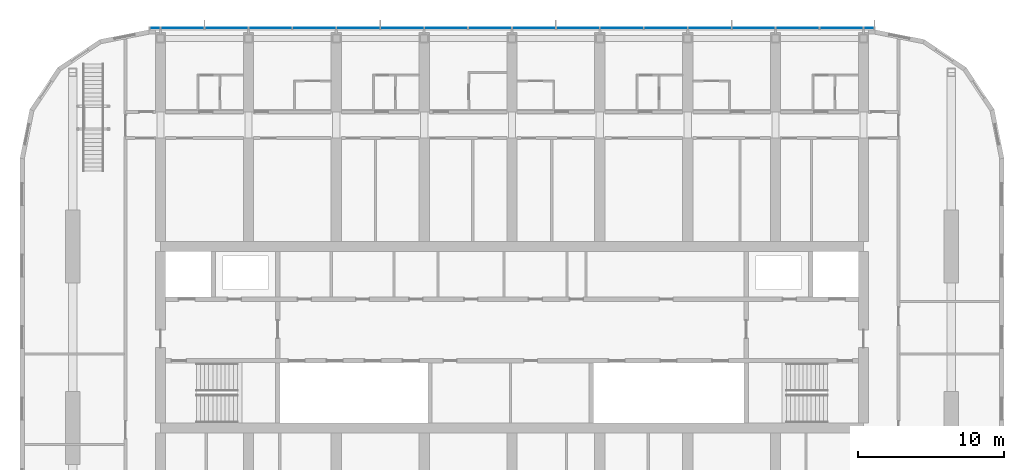
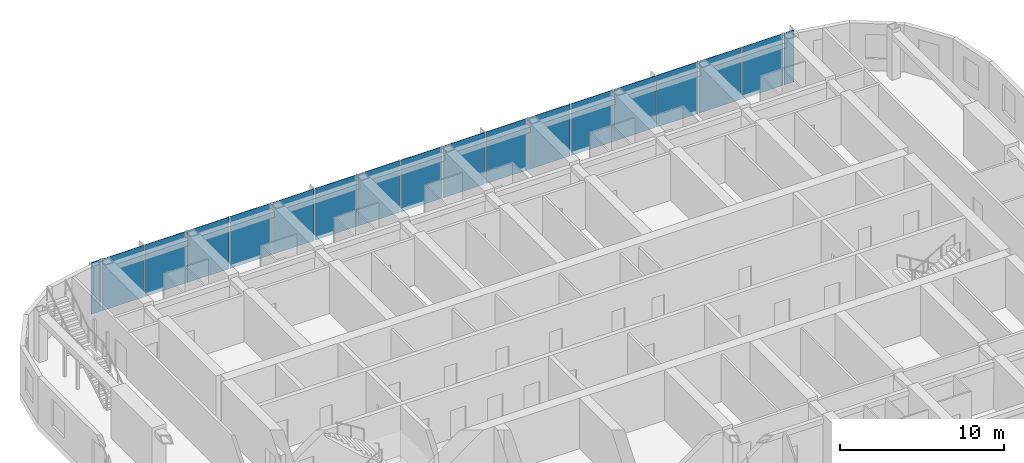
# One storey, part 11 of 26: 18 plates, 1 element without a shape of its own.
"""IFC4 building model written with IfcOpenShell, lengths in metres."""

from ifc_helpers import new_model, si_unit, direction, frame, origin, origin_2d, place, context, subcontext, project, spatial, rectangle, extrude, material, layer, layer_set, type_object, element, aggregate, save


model = new_model("IFC4")

# Units and contexts
model_context = context("Model", 3, precision=1e-05, world=origin(), true_north=direction((0.0, 1.0)))
body_context = subcontext(model_context, "Body", "Model", "MODEL_VIEW")
ifc_project = project(units=[si_unit("LENGTHUNIT", "METRE"), si_unit("AREAUNIT", "SQUARE_METRE"), si_unit("VOLUMEUNIT", "CUBIC_METRE"), si_unit("PLANEANGLEUNIT", "RADIAN"), si_unit("MASSUNIT", "GRAM", prefix="KILO")], contexts=[model_context])

# Site, building, storey
site_placement = place(None, origin())
site = spatial("IfcSite", under=ifc_project, at=site_placement, CompositionType="ELEMENT")
building_placement = place(site_placement, origin())
building = spatial("IfcBuilding", under=site, at=building_placement, Name="Orbita Commons", CompositionType="ELEMENT")
storey_placement = place(building_placement, frame((0.0, 0.0, 231.550048828125)))
storey = spatial("IfcBuildingStorey", under=building, at=storey_placement, Name="L57", CompositionType="ELEMENT", Elevation=231.550048828125)

# Curtain wall, plates
ifc_material_1 = material(Name="Anodised aluminium frame, pale silver", Category="aluminium")
curtain_wall_type = type_object("IfcCurtainWallType", Name="Unitised curtain wall CW-U, full-height vision", PredefinedType="NOTDEFINED", material=ifc_material_1)
curtain_wall_placement = place(storey_placement, origin())
curtain_wall = element("IfcCurtainWall", 1, at=curtain_wall_placement, inside=storey, type_object=curtain_wall_type, Name="Curtain wall north L57", PredefinedType="NOTDEFINED")
ifc_material_2 = material(Name="Clear double glazing", Category="glass")
ifc_layer = layer(ifc_material_2, 0.031982421875)
ifc_layer_set = layer_set([ifc_layer], Name="Clear double glazing")
plate_type = type_object("IfcPlateType", Name="Full-height vision panel, clear glazing 32", PredefinedType="CURTAIN_PANEL", material=ifc_layer_set)
plate_1_placement = place(storey_placement, frame((66.3798828125, 53.110107421875, -0.35009765625), z_axis=(0.0, 0.0, 1.0), x_axis=(-1.0, 0.0, 0.0)))
plate_1 = element("IfcPlate", 2, at=plate_1_placement, type_object=plate_type, Name="Panel 1.1 CW-L57-N", PredefinedType="CURTAIN_PANEL", context=body_context, shape_type="SweptSolid", body=[
    extrude(rectangle(XDim=0.679931640625, YDim=0.031982421875, at=origin_2d()), origin(), (0.0, 0.0, 1.0), 3.85009765625),
])
plate_2_placement = place(storey_placement, frame((64.5, 53.110107421875, -0.35009765625), z_axis=(0.0, 0.0, 1.0), x_axis=(-1.0, 0.0, 0.0)))
plate_2 = element("IfcPlate", 3, at=plate_2_placement, type_object=plate_type, Name="Panel 2.1 CW-L57-N", PredefinedType="CURTAIN_PANEL", context=body_context, shape_type="SweptSolid", body=[
    extrude(rectangle(XDim=2.919921875, YDim=0.031982421875, at=origin_2d()), origin(), (0.0, 0.0, 1.0), 3.85009765625),
])
plate_3_placement = place(storey_placement, frame((61.5, 53.110107421875, -0.35009765625), z_axis=(0.0, 0.0, 1.0), x_axis=(-1.0, 0.0, 0.0)))
plate_3 = element("IfcPlate", 4, at=plate_3_placement, type_object=plate_type, Name="Panel 3.1 CW-L57-N", PredefinedType="CURTAIN_PANEL", context=body_context, shape_type="SweptSolid", body=[
    extrude(rectangle(XDim=2.919921875, YDim=0.031982421875, at=origin_2d()), origin(), (0.0, 0.0, 1.0), 3.85009765625),
])
plate_4_placement = place(storey_placement, frame((58.5, 53.110107421875, -0.35009765625), z_axis=(0.0, 0.0, 1.0), x_axis=(-1.0, 0.0, 0.0)))
plate_4 = element("IfcPlate", 5, at=plate_4_placement, type_object=plate_type, Name="Panel 4.1 CW-L57-N", PredefinedType="CURTAIN_PANEL", context=body_context, shape_type="SweptSolid", body=[
    extrude(rectangle(XDim=2.919921875, YDim=0.031982421875, at=origin_2d()), origin(), (0.0, 0.0, 1.0), 3.85009765625),
])
plate_5_placement = place(storey_placement, frame((55.5, 53.110107421875, -0.35009765625), z_axis=(0.0, 0.0, 1.0), x_axis=(-1.0, 0.0, 0.0)))
plate_5 = element("IfcPlate", 6, at=plate_5_placement, type_object=plate_type, Name="Panel 5.1 CW-L57-N", PredefinedType="CURTAIN_PANEL", context=body_context, shape_type="SweptSolid", body=[
    extrude(rectangle(XDim=2.919921875, YDim=0.031982421875, at=origin_2d()), origin(), (0.0, 0.0, 1.0), 3.85009765625),
])
plate_6_placement = place(storey_placement, frame((52.5, 53.110107421875, -0.35009765625), z_axis=(0.0, 0.0, 1.0), x_axis=(-1.0, 0.0, 0.0)))
plate_6 = element("IfcPlate", 7, at=plate_6_placement, type_object=plate_type, Name="Panel 6.1 CW-L57-N", PredefinedType="CURTAIN_PANEL", context=body_context, shape_type="SweptSolid", body=[
    extrude(rectangle(XDim=2.919921875, YDim=0.031982421875, at=origin_2d()), origin(), (0.0, 0.0, 1.0), 3.85009765625),
])
plate_7_placement = place(storey_placement, frame((49.5, 53.110107421875, -0.35009765625), z_axis=(0.0, 0.0, 1.0), x_axis=(-1.0, 0.0, 0.0)))
plate_7 = element("IfcPlate", 8, at=plate_7_placement, type_object=plate_type, Name="Panel 7.1 CW-L57-N", PredefinedType="CURTAIN_PANEL", context=body_context, shape_type="SweptSolid", body=[
    extrude(rectangle(XDim=2.919921875, YDim=0.031982421875, at=origin_2d()), origin(), (0.0, 0.0, 1.0), 3.85009765625),
])
plate_8_placement = place(storey_placement, frame((46.5, 53.110107421875, -0.35009765625), z_axis=(0.0, 0.0, 1.0), x_axis=(-1.0, 0.0, 0.0)))
plate_8 = element("IfcPlate", 9, at=plate_8_placement, type_object=plate_type, Name="Panel 8.1 CW-L57-N", PredefinedType="CURTAIN_PANEL", context=body_context, shape_type="SweptSolid", body=[
    extrude(rectangle(XDim=2.919921875, YDim=0.031982421875, at=origin_2d()), origin(), (0.0, 0.0, 1.0), 3.85009765625),
])
plate_9_placement = place(storey_placement, frame((43.5, 53.110107421875, -0.35009765625), z_axis=(0.0, 0.0, 1.0), x_axis=(-1.0, 0.0, 0.0)))
plate_9 = element("IfcPlate", 10, at=plate_9_placement, type_object=plate_type, Name="Panel 9.1 CW-L57-N", PredefinedType="CURTAIN_PANEL", context=body_context, shape_type="SweptSolid", body=[
    extrude(rectangle(XDim=2.919921875, YDim=0.031982421875, at=origin_2d()), origin(), (0.0, 0.0, 1.0), 3.85009765625),
])
plate_10_placement = place(storey_placement, frame((40.5, 53.110107421875, -0.35009765625), z_axis=(0.0, 0.0, 1.0), x_axis=(-1.0, 0.0, 0.0)))
plate_10 = element("IfcPlate", 11, at=plate_10_placement, type_object=plate_type, Name="Panel 10.1 CW-L57-N", PredefinedType="CURTAIN_PANEL", context=body_context, shape_type="SweptSolid", body=[
    extrude(rectangle(XDim=2.919921875, YDim=0.031982421875, at=origin_2d()), origin(), (0.0, 0.0, 1.0), 3.85009765625),
])
plate_11_placement = place(storey_placement, frame((37.5, 53.110107421875, -0.35009765625), z_axis=(0.0, 0.0, 1.0), x_axis=(-1.0, 0.0, 0.0)))
plate_11 = element("IfcPlate", 12, at=plate_11_placement, type_object=plate_type, Name="Panel 11.1 CW-L57-N", PredefinedType="CURTAIN_PANEL", context=body_context, shape_type="SweptSolid", body=[
    extrude(rectangle(XDim=2.919921875, YDim=0.031982421875, at=origin_2d()), origin(), (0.0, 0.0, 1.0), 3.85009765625),
])
plate_12_placement = place(storey_placement, frame((34.5, 53.110107421875, -0.35009765625), z_axis=(0.0, 0.0, 1.0), x_axis=(-1.0, 0.0, 0.0)))
plate_12 = element("IfcPlate", 13, at=plate_12_placement, type_object=plate_type, Name="Panel 12.1 CW-L57-N", PredefinedType="CURTAIN_PANEL", context=body_context, shape_type="SweptSolid", body=[
    extrude(rectangle(XDim=2.919921875, YDim=0.031982421875, at=origin_2d()), origin(), (0.0, 0.0, 1.0), 3.85009765625),
])
plate_13_placement = place(storey_placement, frame((31.5, 53.110107421875, -0.35009765625), z_axis=(0.0, 0.0, 1.0), x_axis=(-1.0, 0.0, 0.0)))
plate_13 = element("IfcPlate", 14, at=plate_13_placement, type_object=plate_type, Name="Panel 13.1 CW-L57-N", PredefinedType="CURTAIN_PANEL", context=body_context, shape_type="SweptSolid", body=[
    extrude(rectangle(XDim=2.919921875, YDim=0.031982421875, at=origin_2d()), origin(), (0.0, 0.0, 1.0), 3.85009765625),
])
plate_14_placement = place(storey_placement, frame((28.5, 53.110107421875, -0.35009765625), z_axis=(0.0, 0.0, 1.0), x_axis=(-1.0, 0.0, 0.0)))
plate_14 = element("IfcPlate", 15, at=plate_14_placement, type_object=plate_type, Name="Panel 14.1 CW-L57-N", PredefinedType="CURTAIN_PANEL", context=body_context, shape_type="SweptSolid", body=[
    extrude(rectangle(XDim=2.919921875, YDim=0.031982421875, at=origin_2d()), origin(), (0.0, 0.0, 1.0), 3.85009765625),
])
plate_15_placement = place(storey_placement, frame((25.5, 53.110107421875, -0.35009765625), z_axis=(0.0, 0.0, 1.0), x_axis=(-1.0, 0.0, 0.0)))
plate_15 = element("IfcPlate", 16, at=plate_15_placement, type_object=plate_type, Name="Panel 15.1 CW-L57-N", PredefinedType="CURTAIN_PANEL", context=body_context, shape_type="SweptSolid", body=[
    extrude(rectangle(XDim=2.919921875, YDim=0.031982421875, at=origin_2d()), origin(), (0.0, 0.0, 1.0), 3.85009765625),
])
plate_16_placement = place(storey_placement, frame((22.5, 53.110107421875, -0.35009765625), z_axis=(0.0, 0.0, 1.0), x_axis=(-1.0, 0.0, 0.0)))
plate_16 = element("IfcPlate", 17, at=plate_16_placement, type_object=plate_type, Name="Panel 16.1 CW-L57-N", PredefinedType="CURTAIN_PANEL", context=body_context, shape_type="SweptSolid", body=[
    extrude(rectangle(XDim=2.919921875, YDim=0.031982421875, at=origin_2d()), origin(), (0.0, 0.0, 1.0), 3.85009765625),
])
plate_17_placement = place(storey_placement, frame((19.5, 53.110107421875, -0.35009765625), z_axis=(0.0, 0.0, 1.0), x_axis=(-1.0, 0.0, 0.0)))
plate_17 = element("IfcPlate", 18, at=plate_17_placement, type_object=plate_type, Name="Panel 17.1 CW-L57-N", PredefinedType="CURTAIN_PANEL", context=body_context, shape_type="SweptSolid", body=[
    extrude(rectangle(XDim=2.919921875, YDim=0.031982421875, at=origin_2d()), origin(), (0.0, 0.0, 1.0), 3.85009765625),
])
plate_18_placement = place(storey_placement, frame((17.6201171875, 53.110107421875, -0.35009765625), z_axis=(0.0, 0.0, 1.0), x_axis=(-1.0, 0.0, 0.0)))
plate_18 = element("IfcPlate", 19, at=plate_18_placement, type_object=plate_type, Name="Panel 18.1 CW-L57-N", PredefinedType="CURTAIN_PANEL", context=body_context, shape_type="SweptSolid", body=[
    extrude(rectangle(XDim=0.679931640625, YDim=0.031982421875, at=origin_2d()), origin(), (0.0, 0.0, 1.0), 3.85009765625),
])
aggregate(curtain_wall, [plate_1, plate_2, plate_3, plate_4, plate_5, plate_6, plate_7, plate_8, plate_9, plate_10, plate_11, plate_12, plate_13, plate_14, plate_15, plate_16, plate_17, plate_18])

save(model, "model.ifc")
